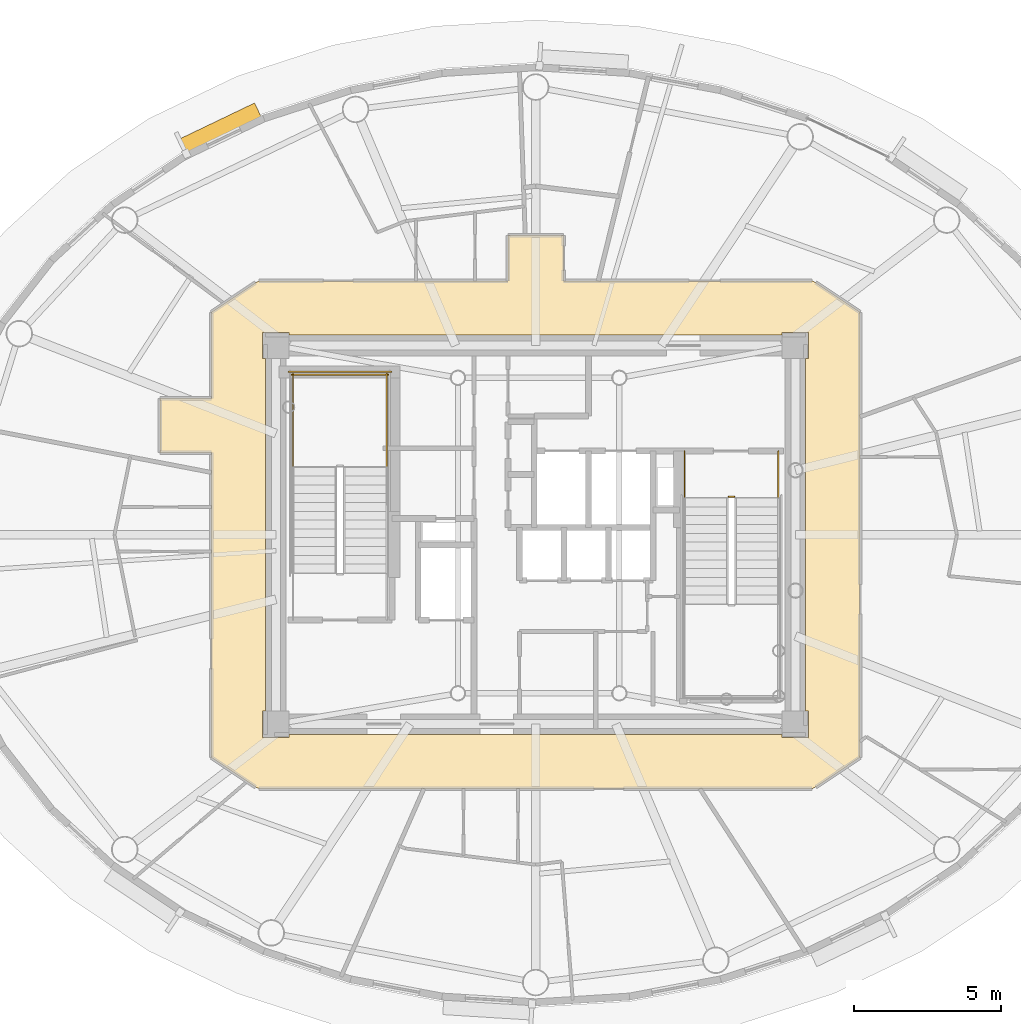
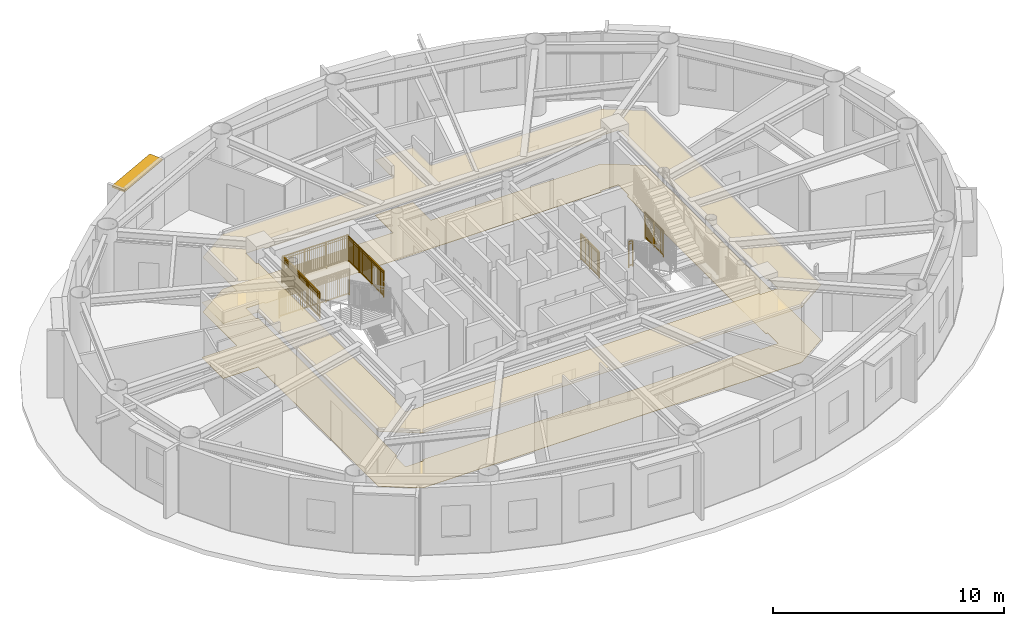
# One storey, part 16 of 17: 7 railings, 2 coverings, 1 shading device.
"""IFC4 building model written with IfcOpenShell, lengths in metres."""

from ifc_helpers import new_model, si_unit, direction, frame, origin, origin_2d, place, context, subcontext, project, spatial, polyline, rectangle, outline, extrude, source, transform, mapped, material, layer, layer_set, type_object, element, save


model = new_model("IFC4")

# Units and contexts
model_context = context("Model", 3, precision=1e-05, world=origin(), true_north=direction((0.0, 1.0)))
body_context = subcontext(model_context, "Body", "Model", "MODEL_VIEW")
ifc_project = project(units=[si_unit("LENGTHUNIT", "METRE"), si_unit("AREAUNIT", "SQUARE_METRE"), si_unit("VOLUMEUNIT", "CUBIC_METRE"), si_unit("PLANEANGLEUNIT", "RADIAN"), si_unit("MASSUNIT", "GRAM", prefix="KILO")], contexts=[model_context])

# Site, building, storey
site_placement = place(None, origin())
site = spatial("IfcSite", under=ifc_project, at=site_placement, CompositionType="ELEMENT")
building_placement = place(site_placement, origin())
building = spatial("IfcBuilding", under=site, at=building_placement, Name="Linh Dai School and Residence Tower", CompositionType="ELEMENT")
storey_placement = place(building_placement, frame((0.0, 0.0, 324.0)))
storey = spatial("IfcBuildingStorey", under=building, at=storey_placement, Name="L80", CompositionType="ELEMENT", Elevation=324.0)

# Coverings
ifc_material_1 = material(Name="Mineral Fibre Acoustic Suspended Ceiling", Category="masonry")
ifc_layer_1 = layer(ifc_material_1, 0.02001953125)
ifc_layer_set_1 = layer_set([ifc_layer_1], Name="Mineral Fibre Acoustic Suspended Ceiling")
covering_type_1 = type_object("IfcCoveringType", Name="COV-CEIL-AC-20", PredefinedType="CEILING", material=ifc_layer_set_1)
covering_1_placement = place(storey_placement, frame((0.0, 0.0, 2.89990234375)))
element("IfcCovering", 1, at=covering_1_placement, inside=storey, type_object=covering_type_1, Name="L80 Residential Floor Corridor Suspended Ceiling", PredefinedType="CEILING", context=body_context, shape_type="SweptSolid", body=[
    extrude(outline(polyline([(23.199951171875, 31.64990234375), (24.949951171875, 31.64990234375), (24.949951171875, 34.58251953125), (26.458740234375, 35.591796875), (26.580078125, 35.64990234375), (35.050048828125, 35.64990234375), (35.050048828125, 37.199951171875), (36.949951171875, 37.199951171875), (36.949951171875, 35.64990234375), (45.419921875, 35.64990234375), (45.541259765625, 35.591796875), (47.050048828125, 34.58251953125), (47.050048828125, 19.41748046875), (45.541259765625, 18.408203125), (45.419921875, 18.35009765625), (26.580078125, 18.35009765625), (26.458740234375, 18.408203125), (24.949951171875, 19.41748046875), (24.949951171875, 29.800048828125), (23.199951171875, 29.800048828125), (23.199951171875, 31.64990234375)]), holes=[polyline([(27.60009765625, 33.800048828125), (27.60009765625, 33.89990234375), (26.699951171875, 33.89990234375), (26.699951171875, 33.0), (26.800048828125, 33.0), (26.800048828125, 21.0), (26.699951171875, 21.0), (26.699951171875, 20.10009765625), (27.60009765625, 20.10009765625), (27.60009765625, 20.199951171875), (44.39990234375, 20.199951171875), (44.39990234375, 20.10009765625), (45.300048828125, 20.10009765625), (45.300048828125, 21.0), (45.199951171875, 21.0), (45.199951171875, 33.0), (45.300048828125, 33.0), (45.300048828125, 33.89990234375), (44.39990234375, 33.89990234375), (44.39990234375, 33.800048828125), (27.60009765625, 33.800048828125)])]), origin(), (0.0, 0.0, 1.0), 0.02001953125),
])
ifc_material_2 = material(Name="Polished Terrazzo Floor Finish", Category="masonry")
ifc_layer_2 = layer(ifc_material_2, 0.02490234375)
ifc_layer_set_2 = layer_set([ifc_layer_2], Name="Polished Terrazzo Floor Finish")
covering_type_2 = type_object("IfcCoveringType", Name="COV-FLR-TRZ-25", PredefinedType="FLOORING", material=ifc_layer_set_2)
covering_2_placement = place(storey_placement, origin())
element("IfcCovering", 2, at=covering_2_placement, inside=storey, type_object=covering_type_2, Name="L80 Residential Floor Corridor Floor Finish", PredefinedType="FLOORING", context=body_context, shape_type="SweptSolid", body=[
    extrude(outline(polyline([(23.199951171875, 31.64990234375), (24.949951171875, 31.64990234375), (24.949951171875, 34.58251953125), (26.458740234375, 35.591796875), (26.580078125, 35.64990234375), (35.050048828125, 35.64990234375), (35.050048828125, 37.199951171875), (36.949951171875, 37.199951171875), (36.949951171875, 35.64990234375), (45.419921875, 35.64990234375), (45.541259765625, 35.591796875), (47.050048828125, 34.58251953125), (47.050048828125, 19.41748046875), (45.541259765625, 18.408203125), (45.419921875, 18.35009765625), (26.580078125, 18.35009765625), (26.458740234375, 18.408203125), (24.949951171875, 19.41748046875), (24.949951171875, 29.800048828125), (23.199951171875, 29.800048828125), (23.199951171875, 31.64990234375)]), holes=[polyline([(27.60009765625, 33.800048828125), (27.60009765625, 33.89990234375), (26.699951171875, 33.89990234375), (26.699951171875, 33.0), (26.800048828125, 33.0), (26.800048828125, 21.0), (26.699951171875, 21.0), (26.699951171875, 20.10009765625), (27.60009765625, 20.10009765625), (27.60009765625, 20.199951171875), (44.39990234375, 20.199951171875), (44.39990234375, 20.10009765625), (45.300048828125, 20.10009765625), (45.300048828125, 21.0), (45.199951171875, 21.0), (45.199951171875, 33.0), (45.300048828125, 33.0), (45.300048828125, 33.89990234375), (44.39990234375, 33.89990234375), (44.39990234375, 33.800048828125), (27.60009765625, 33.800048828125)])]), origin(), (0.0, 0.0, 1.0), 0.02001953125),
])

# Shading device
ifc_material_3 = material(Name="Terracotta Ceramic Sunshade", Category="masonry")
ifc_layer_3 = layer(ifc_material_3, 0.10009765625)
ifc_layer_set_3 = layer_set([ifc_layer_3], Name="Terracotta Ceramic Sunshade")
shading_device_type = type_object("IfcShadingDeviceType", Name="SHD-TC-650", PredefinedType="USERDEFINED", material=ifc_layer_set_3)
shared_shape_1 = source(origin(), body_context, "Body", "SweptSolid", [
    extrude(rectangle(XDim=2.904052734375, YDim=0.64990234375, at=origin_2d()), origin(), (0.0, 0.0, 1.0), 0.10009765625),
])
shading_device_placement = place(storey_placement, frame((25.25244140625, 40.79150390625, 3.429931640625), z_axis=(0.0, 0.0, 1.0), x_axis=(0.901550652892, 0.432673572418, 0.0)))
element("IfcShadingDevice", 3, at=shading_device_placement, inside=storey, type_object=shading_device_type, Name="L80 Terracotta Horizontal Sunshade Band 14", ObjectType="SUNSHADE", PredefinedType="USERDEFINED", context=body_context, shape_type="MappedRepresentation", body=[
    mapped(shared_shape_1, transform((0.0, 0.0, 0.0), x_axis=(1.0, 0.0, 0.0), y_axis=(0.0, 1.0, 0.0), z_axis=(0.0, 0.0, 1.0), scale=1.0)),
])

# Railings
ifc_material_4 = material(Name="Structural Steel S355JR", Category="steel")
railing_type = type_object("IfcRailingType", Name="RL-ST-GUARD-1400", PredefinedType="GUARDRAIL", material=ifc_material_4)
shared_shape_2 = source(origin(), body_context, "Body", "SweptSolid", [
    extrude(rectangle(XDim=0.048095703125, YDim=0.048095703125, at=origin_2d()), frame((0.0, 0.0, 1.3759765625), z_axis=(-1.0, 0.0, 0.0), x_axis=(0.0, -1.0, 0.0)), (0.0, 0.0, 1.0), 3.300048828125),
    extrude(rectangle(XDim=0.048095703125, YDim=0.048095703125, at=origin_2d()), frame((0.0, 0.0, 0.10009765625), z_axis=(-1.0, 0.0, 0.0), x_axis=(0.0, -1.0, 0.0)), (0.0, 0.0, 1.0), 3.300048828125),
    extrude(rectangle(XDim=0.030029296875, YDim=0.030029296875, at=origin_2d()), frame((0.0, 0.0, 1.239990234375), z_axis=(-1.0, 0.0, 0.0), x_axis=(0.0, -1.0, 0.0)), (0.0, 0.0, 1.0), 3.300048828125),
    extrude(rectangle(XDim=0.02001953125, YDim=0.02001953125, at=origin_2d()), frame((-0.09716796875, 0.0, 0.10009765625)), (0.0, 0.0, 1.0), 1.251708984375),
    extrude(rectangle(XDim=0.02001953125, YDim=0.02001953125, at=origin_2d()), frame((-0.194091796875, 0.0, 0.10009765625)), (0.0, 0.0, 1.0), 1.251708984375),
    extrude(rectangle(XDim=0.02001953125, YDim=0.02001953125, at=origin_2d()), frame((-0.291259765625, 0.0, 0.10009765625)), (0.0, 0.0, 1.0), 1.251708984375),
    extrude(rectangle(XDim=0.02001953125, YDim=0.02001953125, at=origin_2d()), frame((-0.38818359375, 0.0, 0.10009765625)), (0.0, 0.0, 1.0), 1.251708984375),
    extrude(rectangle(XDim=0.02001953125, YDim=0.02001953125, at=origin_2d()), frame((-0.4853515625, 0.0, 0.10009765625)), (0.0, 0.0, 1.0), 1.251708984375),
    extrude(rectangle(XDim=0.02001953125, YDim=0.02001953125, at=origin_2d()), frame((-0.582275390625, 0.0, 0.10009765625)), (0.0, 0.0, 1.0), 1.251708984375),
    extrude(rectangle(XDim=0.02001953125, YDim=0.02001953125, at=origin_2d()), frame((-0.679443359375, 0.0, 0.10009765625)), (0.0, 0.0, 1.0), 1.251708984375),
    extrude(rectangle(XDim=0.02001953125, YDim=0.02001953125, at=origin_2d()), frame((-0.7763671875, 0.0, 0.10009765625)), (0.0, 0.0, 1.0), 1.251708984375),
    extrude(rectangle(XDim=0.02001953125, YDim=0.02001953125, at=origin_2d()), frame((-0.87353515625, 0.0, 0.10009765625)), (0.0, 0.0, 1.0), 1.251708984375),
    extrude(rectangle(XDim=0.02001953125, YDim=0.02001953125, at=origin_2d()), frame((-0.970703125, 0.0, 0.10009765625)), (0.0, 0.0, 1.0), 1.251708984375),
    extrude(rectangle(XDim=0.02001953125, YDim=0.02001953125, at=origin_2d()), frame((-1.164794921875, 0.0, 0.10009765625)), (0.0, 0.0, 1.0), 1.251708984375),
    extrude(rectangle(XDim=0.02001953125, YDim=0.02001953125, at=origin_2d()), frame((-1.26171875, 0.0, 0.10009765625)), (0.0, 0.0, 1.0), 1.251708984375),
    extrude(rectangle(XDim=0.02001953125, YDim=0.02001953125, at=origin_2d()), frame((-1.35888671875, 0.0, 0.10009765625)), (0.0, 0.0, 1.0), 1.251708984375),
    extrude(rectangle(XDim=0.02001953125, YDim=0.02001953125, at=origin_2d()), frame((-1.455810546875, 0.0, 0.10009765625)), (0.0, 0.0, 1.0), 1.251708984375),
    extrude(rectangle(XDim=0.02001953125, YDim=0.02001953125, at=origin_2d()), frame((-1.552978515625, 0.0, 0.10009765625)), (0.0, 0.0, 1.0), 1.251708984375),
    extrude(rectangle(XDim=0.02001953125, YDim=0.02001953125, at=origin_2d()), frame((-1.64990234375, 0.0, 0.10009765625)), (0.0, 0.0, 1.0), 1.251708984375),
    extrude(rectangle(XDim=0.02001953125, YDim=0.02001953125, at=origin_2d()), frame((-1.7470703125, 0.0, 0.10009765625)), (0.0, 0.0, 1.0), 1.251708984375),
    extrude(rectangle(XDim=0.02001953125, YDim=0.02001953125, at=origin_2d()), frame((-1.84423828125, 0.0, 0.10009765625)), (0.0, 0.0, 1.0), 1.251708984375),
    extrude(rectangle(XDim=0.02001953125, YDim=0.02001953125, at=origin_2d()), frame((-1.941162109375, 0.0, 0.10009765625)), (0.0, 0.0, 1.0), 1.251708984375),
    extrude(rectangle(XDim=0.02001953125, YDim=0.02001953125, at=origin_2d()), frame((-2.038330078125, 0.0, 0.10009765625)), (0.0, 0.0, 1.0), 1.251708984375),
    extrude(rectangle(XDim=0.02001953125, YDim=0.02001953125, at=origin_2d()), frame((-2.13525390625, 0.0, 0.10009765625)), (0.0, 0.0, 1.0), 1.251708984375),
    extrude(rectangle(XDim=0.02001953125, YDim=0.02001953125, at=origin_2d()), frame((-2.329345703125, 0.0, 0.10009765625)), (0.0, 0.0, 1.0), 1.251708984375),
    extrude(rectangle(XDim=0.02001953125, YDim=0.02001953125, at=origin_2d()), frame((-2.426513671875, 0.0, 0.10009765625)), (0.0, 0.0, 1.0), 1.251708984375),
    extrude(rectangle(XDim=0.02001953125, YDim=0.02001953125, at=origin_2d()), frame((-2.523681640625, 0.0, 0.10009765625)), (0.0, 0.0, 1.0), 1.251708984375),
    extrude(rectangle(XDim=0.02001953125, YDim=0.02001953125, at=origin_2d()), frame((-2.62060546875, 0.0, 0.10009765625)), (0.0, 0.0, 1.0), 1.251708984375),
    extrude(rectangle(XDim=0.02001953125, YDim=0.02001953125, at=origin_2d()), frame((-2.7177734375, 0.0, 0.10009765625)), (0.0, 0.0, 1.0), 1.251708984375),
    extrude(rectangle(XDim=0.02001953125, YDim=0.02001953125, at=origin_2d()), frame((-2.814697265625, 0.0, 0.10009765625)), (0.0, 0.0, 1.0), 1.251708984375),
    extrude(rectangle(XDim=0.02001953125, YDim=0.02001953125, at=origin_2d()), frame((-2.911865234375, 0.0, 0.10009765625)), (0.0, 0.0, 1.0), 1.251708984375),
    extrude(rectangle(XDim=0.02001953125, YDim=0.02001953125, at=origin_2d()), frame((-3.0087890625, 0.0, 0.10009765625)), (0.0, 0.0, 1.0), 1.251708984375),
    extrude(rectangle(XDim=0.02001953125, YDim=0.02001953125, at=origin_2d()), frame((-3.10595703125, 0.0, 0.10009765625)), (0.0, 0.0, 1.0), 1.251708984375),
    extrude(rectangle(XDim=0.02001953125, YDim=0.02001953125, at=origin_2d()), frame((-3.202880859375, 0.0, 0.10009765625)), (0.0, 0.0, 1.0), 1.251708984375),
    extrude(rectangle(XDim=0.0419921875, YDim=0.0419921875, at=origin_2d()), origin(), (0.0, 0.0, 1.0), 1.3759765625),
    extrude(rectangle(XDim=0.0419921875, YDim=0.0419921875, at=origin_2d()), frame((-1.10009765625, 0.0, 0.0)), (0.0, 0.0, 1.0), 1.3759765625),
    extrude(rectangle(XDim=0.0419921875, YDim=0.0419921875, at=origin_2d()), frame((-2.199951171875, 0.0, 0.0)), (0.0, 0.0, 1.0), 1.3759765625),
    extrude(rectangle(XDim=0.0419921875, YDim=0.0419921875, at=origin_2d()), frame((-3.300048828125, 0.0, 0.0)), (0.0, 0.0, 1.0), 1.3759765625),
])
railing_1_placement = place(storey_placement, frame((30.97998046875, 32.449951171875, 1.89990234375)))
element("IfcRailing", 4, at=railing_1_placement, inside=storey, type_object=railing_type, Name="L80 ST1 stair guard 5", PredefinedType="GUARDRAIL", context=body_context, shape_type="MappedRepresentation", body=[
    mapped(shared_shape_2, transform((0.0, 0.0, 0.0), x_axis=(1.0, 0.0, 0.0), y_axis=(0.0, 1.0, 0.0), z_axis=(0.0, 0.0, 1.0), scale=1.0)),
])
shared_shape_3 = source(origin(), body_context, "Body", "SweptSolid", [
    extrude(rectangle(XDim=0.048095703125, YDim=0.048095703125, at=origin_2d()), frame((0.0, 0.0, 1.3759765625), z_axis=(-1.0, 0.0, 0.0), x_axis=(0.0, -1.0, 0.0)), (0.0, 0.0, 1.0), 3.5),
    extrude(rectangle(XDim=0.048095703125, YDim=0.048095703125, at=origin_2d()), frame((0.0, 0.0, 0.10009765625), z_axis=(-1.0, 0.0, 0.0), x_axis=(0.0, -1.0, 0.0)), (0.0, 0.0, 1.0), 3.5),
    extrude(rectangle(XDim=0.030029296875, YDim=0.030029296875, at=origin_2d()), frame((0.0, 0.0, 1.239990234375), z_axis=(-1.0, 0.0, 0.0), x_axis=(0.0, -1.0, 0.0)), (0.0, 0.0, 1.0), 3.5),
    extrude(rectangle(XDim=0.02001953125, YDim=0.02001953125, at=origin_2d()), frame((-0.09716796875, 0.0, 0.10009765625)), (0.0, 0.0, 1.0), 1.251708984375),
    extrude(rectangle(XDim=0.02001953125, YDim=0.02001953125, at=origin_2d()), frame((-0.1943359375, 0.0, 0.10009765625)), (0.0, 0.0, 1.0), 1.251708984375),
    extrude(rectangle(XDim=0.02001953125, YDim=0.02001953125, at=origin_2d()), frame((-0.291748046875, 0.0, 0.10009765625)), (0.0, 0.0, 1.0), 1.251708984375),
    extrude(rectangle(XDim=0.02001953125, YDim=0.02001953125, at=origin_2d()), frame((-0.388916015625, 0.0, 0.10009765625)), (0.0, 0.0, 1.0), 1.251708984375),
    extrude(rectangle(XDim=0.02001953125, YDim=0.02001953125, at=origin_2d()), frame((-0.486083984375, 0.0, 0.10009765625)), (0.0, 0.0, 1.0), 1.251708984375),
    extrude(rectangle(XDim=0.02001953125, YDim=0.02001953125, at=origin_2d()), frame((-0.583251953125, 0.0, 0.10009765625)), (0.0, 0.0, 1.0), 1.251708984375),
    extrude(rectangle(XDim=0.02001953125, YDim=0.02001953125, at=origin_2d()), frame((-0.6806640625, 0.0, 0.10009765625)), (0.0, 0.0, 1.0), 1.251708984375),
    extrude(rectangle(XDim=0.02001953125, YDim=0.02001953125, at=origin_2d()), frame((-0.77783203125, 0.0, 0.10009765625)), (0.0, 0.0, 1.0), 1.251708984375),
    extrude(rectangle(XDim=0.02001953125, YDim=0.02001953125, at=origin_2d()), frame((-0.875, 0.0, 0.10009765625)), (0.0, 0.0, 1.0), 1.251708984375),
    extrude(rectangle(XDim=0.02001953125, YDim=0.02001953125, at=origin_2d()), frame((-0.97216796875, 0.0, 0.10009765625)), (0.0, 0.0, 1.0), 1.251708984375),
    extrude(rectangle(XDim=0.02001953125, YDim=0.02001953125, at=origin_2d()), frame((-1.0693359375, 0.0, 0.10009765625)), (0.0, 0.0, 1.0), 1.251708984375),
    extrude(rectangle(XDim=0.02001953125, YDim=0.02001953125, at=origin_2d()), frame((-1.263916015625, 0.0, 0.10009765625)), (0.0, 0.0, 1.0), 1.251708984375),
    extrude(rectangle(XDim=0.02001953125, YDim=0.02001953125, at=origin_2d()), frame((-1.361083984375, 0.0, 0.10009765625)), (0.0, 0.0, 1.0), 1.251708984375),
    extrude(rectangle(XDim=0.02001953125, YDim=0.02001953125, at=origin_2d()), frame((-1.458251953125, 0.0, 0.10009765625)), (0.0, 0.0, 1.0), 1.251708984375),
    extrude(rectangle(XDim=0.02001953125, YDim=0.02001953125, at=origin_2d()), frame((-1.5556640625, 0.0, 0.10009765625)), (0.0, 0.0, 1.0), 1.251708984375),
    extrude(rectangle(XDim=0.02001953125, YDim=0.02001953125, at=origin_2d()), frame((-1.65283203125, 0.0, 0.10009765625)), (0.0, 0.0, 1.0), 1.251708984375),
    extrude(rectangle(XDim=0.02001953125, YDim=0.02001953125, at=origin_2d()), frame((-1.75, 0.0, 0.10009765625)), (0.0, 0.0, 1.0), 1.251708984375),
    extrude(rectangle(XDim=0.02001953125, YDim=0.02001953125, at=origin_2d()), frame((-1.84716796875, 0.0, 0.10009765625)), (0.0, 0.0, 1.0), 1.251708984375),
    extrude(rectangle(XDim=0.02001953125, YDim=0.02001953125, at=origin_2d()), frame((-1.9443359375, 0.0, 0.10009765625)), (0.0, 0.0, 1.0), 1.251708984375),
    extrude(rectangle(XDim=0.02001953125, YDim=0.02001953125, at=origin_2d()), frame((-2.041748046875, 0.0, 0.10009765625)), (0.0, 0.0, 1.0), 1.251708984375),
    extrude(rectangle(XDim=0.02001953125, YDim=0.02001953125, at=origin_2d()), frame((-2.138916015625, 0.0, 0.10009765625)), (0.0, 0.0, 1.0), 1.251708984375),
    extrude(rectangle(XDim=0.02001953125, YDim=0.02001953125, at=origin_2d()), frame((-2.236083984375, 0.0, 0.10009765625)), (0.0, 0.0, 1.0), 1.251708984375),
    extrude(rectangle(XDim=0.02001953125, YDim=0.02001953125, at=origin_2d()), frame((-2.4306640625, 0.0, 0.10009765625)), (0.0, 0.0, 1.0), 1.251708984375),
    extrude(rectangle(XDim=0.02001953125, YDim=0.02001953125, at=origin_2d()), frame((-2.52783203125, 0.0, 0.10009765625)), (0.0, 0.0, 1.0), 1.251708984375),
    extrude(rectangle(XDim=0.02001953125, YDim=0.02001953125, at=origin_2d()), frame((-2.625, 0.0, 0.10009765625)), (0.0, 0.0, 1.0), 1.251708984375),
    extrude(rectangle(XDim=0.02001953125, YDim=0.02001953125, at=origin_2d()), frame((-2.72216796875, 0.0, 0.10009765625)), (0.0, 0.0, 1.0), 1.251708984375),
    extrude(rectangle(XDim=0.02001953125, YDim=0.02001953125, at=origin_2d()), frame((-2.8193359375, 0.0, 0.10009765625)), (0.0, 0.0, 1.0), 1.251708984375),
    extrude(rectangle(XDim=0.02001953125, YDim=0.02001953125, at=origin_2d()), frame((-2.916748046875, 0.0, 0.10009765625)), (0.0, 0.0, 1.0), 1.251708984375),
    extrude(rectangle(XDim=0.02001953125, YDim=0.02001953125, at=origin_2d()), frame((-3.013916015625, 0.0, 0.10009765625)), (0.0, 0.0, 1.0), 1.251708984375),
    extrude(rectangle(XDim=0.02001953125, YDim=0.02001953125, at=origin_2d()), frame((-3.111083984375, 0.0, 0.10009765625)), (0.0, 0.0, 1.0), 1.251708984375),
    extrude(rectangle(XDim=0.02001953125, YDim=0.02001953125, at=origin_2d()), frame((-3.208251953125, 0.0, 0.10009765625)), (0.0, 0.0, 1.0), 1.251708984375),
    extrude(rectangle(XDim=0.02001953125, YDim=0.02001953125, at=origin_2d()), frame((-3.3056640625, 0.0, 0.10009765625)), (0.0, 0.0, 1.0), 1.251708984375),
    extrude(rectangle(XDim=0.02001953125, YDim=0.02001953125, at=origin_2d()), frame((-3.40283203125, 0.0, 0.10009765625)), (0.0, 0.0, 1.0), 1.251708984375),
    extrude(rectangle(XDim=0.0419921875, YDim=0.0419921875, at=origin_2d()), origin(), (0.0, 0.0, 1.0), 1.3759765625),
    extrude(rectangle(XDim=0.0419921875, YDim=0.0419921875, at=origin_2d()), frame((-1.166748046875, 0.0, 0.0)), (0.0, 0.0, 1.0), 1.3759765625),
    extrude(rectangle(XDim=0.0419921875, YDim=0.0419921875, at=origin_2d()), frame((-2.333251953125, 0.0, 0.0)), (0.0, 0.0, 1.0), 1.3759765625),
    extrude(rectangle(XDim=0.0419921875, YDim=0.0419921875, at=origin_2d()), frame((-3.5, 0.0, 0.0)), (0.0, 0.0, 1.0), 1.3759765625),
])
railing_2_placement = place(storey_placement, frame((31.080078125, 32.550048828125, 0.0)))
element("IfcRailing", 5, at=railing_2_placement, inside=storey, type_object=railing_type, Name="L80 ST1 stair guard 12", PredefinedType="GUARDRAIL", context=body_context, shape_type="MappedRepresentation", body=[
    mapped(shared_shape_3, transform((0.0, 0.0, 0.0), x_axis=(1.0, 0.0, 0.0), y_axis=(0.0, 1.0, 0.0), z_axis=(0.0, 0.0, 1.0), scale=1.0)),
])
shared_shape_4 = source(origin(), body_context, "Body", "SweptSolid", [
    extrude(rectangle(XDim=0.048095703125, YDim=0.048095703125, at=origin_2d()), frame((0.0, 0.0, 1.3759765625), z_axis=(0.0, 1.0, 0.0), x_axis=(-1.0, 0.0, 0.0)), (0.0, 0.0, 1.0), 3.199951171875),
    extrude(rectangle(XDim=0.048095703125, YDim=0.048095703125, at=origin_2d()), frame((0.0, 0.0, 0.10009765625), z_axis=(0.0, 1.0, 0.0), x_axis=(-1.0, 0.0, 0.0)), (0.0, 0.0, 1.0), 3.199951171875),
    extrude(rectangle(XDim=0.030029296875, YDim=0.030029296875, at=origin_2d()), frame((0.0, 0.0, 1.239990234375), z_axis=(0.0, 1.0, 0.0), x_axis=(-1.0, 0.0, 0.0)), (0.0, 0.0, 1.0), 3.199951171875),
    extrude(rectangle(XDim=0.02001953125, YDim=0.02001953125, at=origin_2d()), frame((0.0, 0.096923828125, 0.10009765625)), (0.0, 0.0, 1.0), 1.251708984375),
    extrude(rectangle(XDim=0.02001953125, YDim=0.02001953125, at=origin_2d()), frame((0.0, 0.19384765625, 0.10009765625)), (0.0, 0.0, 1.0), 1.251708984375),
    extrude(rectangle(XDim=0.02001953125, YDim=0.02001953125, at=origin_2d()), frame((0.0, 0.291015625, 0.10009765625)), (0.0, 0.0, 1.0), 1.251708984375),
    extrude(rectangle(XDim=0.02001953125, YDim=0.02001953125, at=origin_2d()), frame((0.0, 0.387939453125, 0.10009765625)), (0.0, 0.0, 1.0), 1.251708984375),
    extrude(rectangle(XDim=0.02001953125, YDim=0.02001953125, at=origin_2d()), frame((0.0, 0.48486328125, 0.10009765625)), (0.0, 0.0, 1.0), 1.251708984375),
    extrude(rectangle(XDim=0.02001953125, YDim=0.02001953125, at=origin_2d()), frame((0.0, 0.581787109375, 0.10009765625)), (0.0, 0.0, 1.0), 1.251708984375),
    extrude(rectangle(XDim=0.02001953125, YDim=0.02001953125, at=origin_2d()), frame((0.0, 0.6787109375, 0.10009765625)), (0.0, 0.0, 1.0), 1.251708984375),
    extrude(rectangle(XDim=0.02001953125, YDim=0.02001953125, at=origin_2d()), frame((0.0, 0.775634765625, 0.10009765625)), (0.0, 0.0, 1.0), 1.251708984375),
    extrude(rectangle(XDim=0.02001953125, YDim=0.02001953125, at=origin_2d()), frame((0.0, 0.872802734375, 0.10009765625)), (0.0, 0.0, 1.0), 1.251708984375),
    extrude(rectangle(XDim=0.02001953125, YDim=0.02001953125, at=origin_2d()), frame((0.0, 0.9697265625, 0.10009765625)), (0.0, 0.0, 1.0), 1.251708984375),
    extrude(rectangle(XDim=0.02001953125, YDim=0.02001953125, at=origin_2d()), frame((0.0, 1.16357421875, 0.10009765625)), (0.0, 0.0, 1.0), 1.251708984375),
    extrude(rectangle(XDim=0.02001953125, YDim=0.02001953125, at=origin_2d()), frame((0.0, 1.260498046875, 0.10009765625)), (0.0, 0.0, 1.0), 1.251708984375),
    extrude(rectangle(XDim=0.02001953125, YDim=0.02001953125, at=origin_2d()), frame((0.0, 1.357666015625, 0.10009765625)), (0.0, 0.0, 1.0), 1.251708984375),
    extrude(rectangle(XDim=0.02001953125, YDim=0.02001953125, at=origin_2d()), frame((0.0, 1.45458984375, 0.10009765625)), (0.0, 0.0, 1.0), 1.251708984375),
    extrude(rectangle(XDim=0.02001953125, YDim=0.02001953125, at=origin_2d()), frame((0.0, 1.551513671875, 0.10009765625)), (0.0, 0.0, 1.0), 1.251708984375),
    extrude(rectangle(XDim=0.02001953125, YDim=0.02001953125, at=origin_2d()), frame((0.0, 1.6484375, 0.10009765625)), (0.0, 0.0, 1.0), 1.251708984375),
    extrude(rectangle(XDim=0.02001953125, YDim=0.02001953125, at=origin_2d()), frame((0.0, 1.745361328125, 0.10009765625)), (0.0, 0.0, 1.0), 1.251708984375),
    extrude(rectangle(XDim=0.02001953125, YDim=0.02001953125, at=origin_2d()), frame((0.0, 1.84228515625, 0.10009765625)), (0.0, 0.0, 1.0), 1.251708984375),
    extrude(rectangle(XDim=0.02001953125, YDim=0.02001953125, at=origin_2d()), frame((0.0, 1.939453125, 0.10009765625)), (0.0, 0.0, 1.0), 1.251708984375),
    extrude(rectangle(XDim=0.02001953125, YDim=0.02001953125, at=origin_2d()), frame((0.0, 2.036376953125, 0.10009765625)), (0.0, 0.0, 1.0), 1.251708984375),
    extrude(rectangle(XDim=0.02001953125, YDim=0.02001953125, at=origin_2d()), frame((0.0, 2.230224609375, 0.10009765625)), (0.0, 0.0, 1.0), 1.251708984375),
    extrude(rectangle(XDim=0.02001953125, YDim=0.02001953125, at=origin_2d()), frame((0.0, 2.3271484375, 0.10009765625)), (0.0, 0.0, 1.0), 1.251708984375),
    extrude(rectangle(XDim=0.02001953125, YDim=0.02001953125, at=origin_2d()), frame((0.0, 2.42431640625, 0.10009765625)), (0.0, 0.0, 1.0), 1.251708984375),
    extrude(rectangle(XDim=0.02001953125, YDim=0.02001953125, at=origin_2d()), frame((0.0, 2.521240234375, 0.10009765625)), (0.0, 0.0, 1.0), 1.251708984375),
    extrude(rectangle(XDim=0.02001953125, YDim=0.02001953125, at=origin_2d()), frame((0.0, 2.6181640625, 0.10009765625)), (0.0, 0.0, 1.0), 1.251708984375),
    extrude(rectangle(XDim=0.02001953125, YDim=0.02001953125, at=origin_2d()), frame((0.0, 2.715087890625, 0.10009765625)), (0.0, 0.0, 1.0), 1.251708984375),
    extrude(rectangle(XDim=0.02001953125, YDim=0.02001953125, at=origin_2d()), frame((0.0, 2.81201171875, 0.10009765625)), (0.0, 0.0, 1.0), 1.251708984375),
    extrude(rectangle(XDim=0.02001953125, YDim=0.02001953125, at=origin_2d()), frame((0.0, 2.908935546875, 0.10009765625)), (0.0, 0.0, 1.0), 1.251708984375),
    extrude(rectangle(XDim=0.02001953125, YDim=0.02001953125, at=origin_2d()), frame((0.0, 3.006103515625, 0.10009765625)), (0.0, 0.0, 1.0), 1.251708984375),
    extrude(rectangle(XDim=0.02001953125, YDim=0.02001953125, at=origin_2d()), frame((0.0, 3.10302734375, 0.10009765625)), (0.0, 0.0, 1.0), 1.251708984375),
    extrude(rectangle(XDim=0.0419921875, YDim=0.0419921875, at=origin_2d()), origin(), (0.0, 0.0, 1.0), 1.3759765625),
    extrude(rectangle(XDim=0.0419921875, YDim=0.0419921875, at=origin_2d()), frame((0.0, 1.066650390625, 0.0)), (0.0, 0.0, 1.0), 1.3759765625),
    extrude(rectangle(XDim=0.0419921875, YDim=0.0419921875, at=origin_2d()), frame((0.0, 2.13330078125, 0.0)), (0.0, 0.0, 1.0), 1.3759765625),
    extrude(rectangle(XDim=0.0419921875, YDim=0.0419921875, at=origin_2d()), frame((0.0, 3.199951171875, 0.0)), (0.0, 0.0, 1.0), 1.3759765625),
])
for number, where, name in (
    (6, (30.929931640625, 29.300048828125, 1.89990234375), "L80 ST1 stair guard 3"),
    (7, (27.72998046875, 29.300048828125, 1.89990234375), "L80 ST1 stair guard 4"),
):
    element("IfcRailing", number, at=place(storey_placement, frame(where)), inside=storey, type_object=railing_type, Name=name, PredefinedType="GUARDRAIL", context=body_context, shape_type="MappedRepresentation", body=[
        mapped(shared_shape_4, transform((0.0, 0.0, 0.0), x_axis=(1.0, 0.0, 0.0), y_axis=(0.0, 1.0, 0.0), z_axis=(0.0, 0.0, 1.0), scale=1.0)),
    ])
shared_shape_5 = source(origin(), body_context, "Body", "SweptSolid", [
    extrude(rectangle(XDim=0.048095703125, YDim=0.048095703125, at=origin_2d()), frame((0.0, 0.0, 1.3759765625), z_axis=(1.0, 0.0, 0.0), x_axis=(0.0, 1.0, 0.0)), (0.0, 0.0, 1.0), 0.199951171875),
    extrude(rectangle(XDim=0.048095703125, YDim=0.048095703125, at=origin_2d()), frame((0.0, 0.0, 0.10009765625), z_axis=(1.0, 0.0, 0.0), x_axis=(0.0, 1.0, 0.0)), (0.0, 0.0, 1.0), 0.199951171875),
    extrude(rectangle(XDim=0.030029296875, YDim=0.030029296875, at=origin_2d()), frame((0.0, 0.0, 1.239990234375), z_axis=(1.0, 0.0, 0.0), x_axis=(0.0, 1.0, 0.0)), (0.0, 0.0, 1.0), 0.199951171875),
    extrude(rectangle(XDim=0.0419921875, YDim=0.0419921875, at=origin_2d()), origin(), (0.0, 0.0, 1.0), 1.3759765625),
    extrude(rectangle(XDim=0.0419921875, YDim=0.0419921875, at=origin_2d()), frame((0.199951171875, 0.0, 0.0)), (0.0, 0.0, 1.0), 1.3759765625),
])
railing_3_placement = place(storey_placement, frame((42.570068359375, 28.300048828125, 0.0)))
element("IfcRailing", 8, at=railing_3_placement, inside=storey, type_object=railing_type, Name="L80 ST2 stair guard 7", PredefinedType="GUARDRAIL", context=body_context, shape_type="MappedRepresentation", body=[
    mapped(shared_shape_5, transform((0.0, 0.0, 0.0), x_axis=(1.0, 0.0, 0.0), y_axis=(0.0, 1.0, 0.0), z_axis=(0.0, 0.0, 1.0), scale=1.0)),
])
shared_shape_6 = source(origin(), body_context, "Body", "SweptSolid", [
    extrude(rectangle(XDim=0.048095703125, YDim=0.048095703125, at=origin_2d()), frame((0.0, 0.0, 1.3759765625), z_axis=(0.0, -1.0, 0.0), x_axis=(1.0, 0.0, 0.0)), (0.0, 0.0, 1.0), 1.60009765625),
    extrude(rectangle(XDim=0.048095703125, YDim=0.048095703125, at=origin_2d()), frame((0.0, 0.0, 0.10009765625), z_axis=(0.0, -1.0, 0.0), x_axis=(1.0, 0.0, 0.0)), (0.0, 0.0, 1.0), 1.60009765625),
    extrude(rectangle(XDim=0.030029296875, YDim=0.030029296875, at=origin_2d()), frame((0.0, 0.0, 1.239990234375), z_axis=(0.0, -1.0, 0.0), x_axis=(1.0, 0.0, 0.0)), (0.0, 0.0, 1.0), 1.60009765625),
    extrude(rectangle(XDim=0.02001953125, YDim=0.02001953125, at=origin_2d()), frame((0.0, -0.09423828125, 0.10009765625)), (0.0, 0.0, 1.0), 1.251708984375),
    extrude(rectangle(XDim=0.02001953125, YDim=0.02001953125, at=origin_2d()), frame((0.0, -0.188232421875, 0.10009765625)), (0.0, 0.0, 1.0), 1.251708984375),
    extrude(rectangle(XDim=0.02001953125, YDim=0.02001953125, at=origin_2d()), frame((0.0, -0.282470703125, 0.10009765625)), (0.0, 0.0, 1.0), 1.251708984375),
    extrude(rectangle(XDim=0.02001953125, YDim=0.02001953125, at=origin_2d()), frame((0.0, -0.37646484375, 0.10009765625)), (0.0, 0.0, 1.0), 1.251708984375),
    extrude(rectangle(XDim=0.02001953125, YDim=0.02001953125, at=origin_2d()), frame((0.0, -0.470703125, 0.10009765625)), (0.0, 0.0, 1.0), 1.251708984375),
    extrude(rectangle(XDim=0.02001953125, YDim=0.02001953125, at=origin_2d()), frame((0.0, -0.564697265625, 0.10009765625)), (0.0, 0.0, 1.0), 1.251708984375),
    extrude(rectangle(XDim=0.02001953125, YDim=0.02001953125, at=origin_2d()), frame((0.0, -0.658935546875, 0.10009765625)), (0.0, 0.0, 1.0), 1.251708984375),
    extrude(rectangle(XDim=0.02001953125, YDim=0.02001953125, at=origin_2d()), frame((0.0, -0.7529296875, 0.10009765625)), (0.0, 0.0, 1.0), 1.251708984375),
    extrude(rectangle(XDim=0.02001953125, YDim=0.02001953125, at=origin_2d()), frame((0.0, -0.84716796875, 0.10009765625)), (0.0, 0.0, 1.0), 1.251708984375),
    extrude(rectangle(XDim=0.02001953125, YDim=0.02001953125, at=origin_2d()), frame((0.0, -0.941162109375, 0.10009765625)), (0.0, 0.0, 1.0), 1.251708984375),
    extrude(rectangle(XDim=0.02001953125, YDim=0.02001953125, at=origin_2d()), frame((0.0, -1.035400390625, 0.10009765625)), (0.0, 0.0, 1.0), 1.251708984375),
    extrude(rectangle(XDim=0.02001953125, YDim=0.02001953125, at=origin_2d()), frame((0.0, -1.12939453125, 0.10009765625)), (0.0, 0.0, 1.0), 1.251708984375),
    extrude(rectangle(XDim=0.02001953125, YDim=0.02001953125, at=origin_2d()), frame((0.0, -1.2236328125, 0.10009765625)), (0.0, 0.0, 1.0), 1.251708984375),
    extrude(rectangle(XDim=0.02001953125, YDim=0.02001953125, at=origin_2d()), frame((0.0, -1.317626953125, 0.10009765625)), (0.0, 0.0, 1.0), 1.251708984375),
    extrude(rectangle(XDim=0.02001953125, YDim=0.02001953125, at=origin_2d()), frame((0.0, -1.411865234375, 0.10009765625)), (0.0, 0.0, 1.0), 1.251708984375),
    extrude(rectangle(XDim=0.02001953125, YDim=0.02001953125, at=origin_2d()), frame((0.0, -1.505859375, 0.10009765625)), (0.0, 0.0, 1.0), 1.251708984375),
    extrude(rectangle(XDim=0.0419921875, YDim=0.0419921875, at=origin_2d()), origin(), (0.0, 0.0, 1.0), 1.3759765625),
    extrude(rectangle(XDim=0.0419921875, YDim=0.0419921875, at=origin_2d()), frame((0.0, -0.800048828125, 0.0)), (0.0, 0.0, 1.0), 1.3759765625),
    extrude(rectangle(XDim=0.0419921875, YDim=0.0419921875, at=origin_2d()), frame((0.0, -1.60009765625, 0.0)), (0.0, 0.0, 1.0), 1.3759765625),
])
for number, where, name in (
    (9, (41.070068359375, 29.85009765625, 0.0), "L80 ST2 stair guard 8"),
    (10, (44.27001953125, 29.85009765625, 0.0), "L80 ST2 stair guard 9"),
):
    element("IfcRailing", number, at=place(storey_placement, frame(where)), inside=storey, type_object=railing_type, Name=name, PredefinedType="GUARDRAIL", context=body_context, shape_type="MappedRepresentation", body=[
        mapped(shared_shape_6, transform((0.0, 0.0, 0.0), x_axis=(1.0, 0.0, 0.0), y_axis=(0.0, 1.0, 0.0), z_axis=(0.0, 0.0, 1.0), scale=1.0)),
    ])

save(model, "model.ifc")
